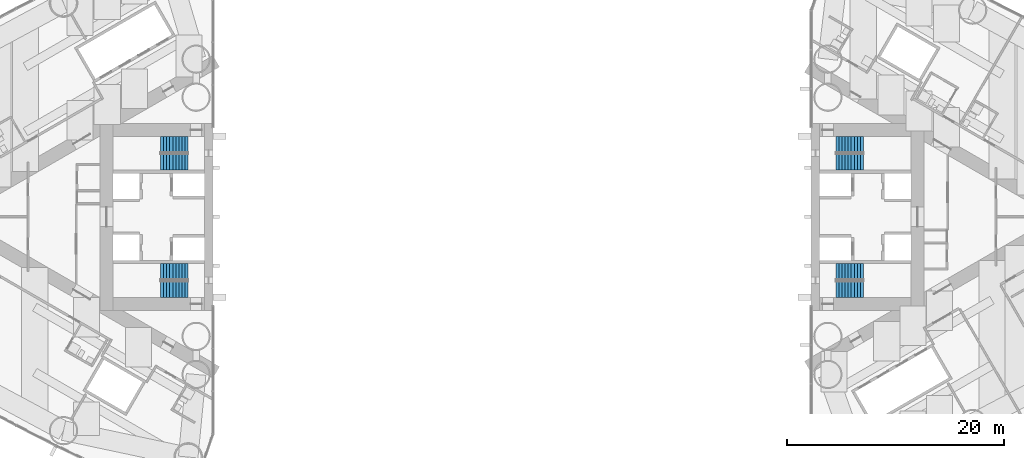
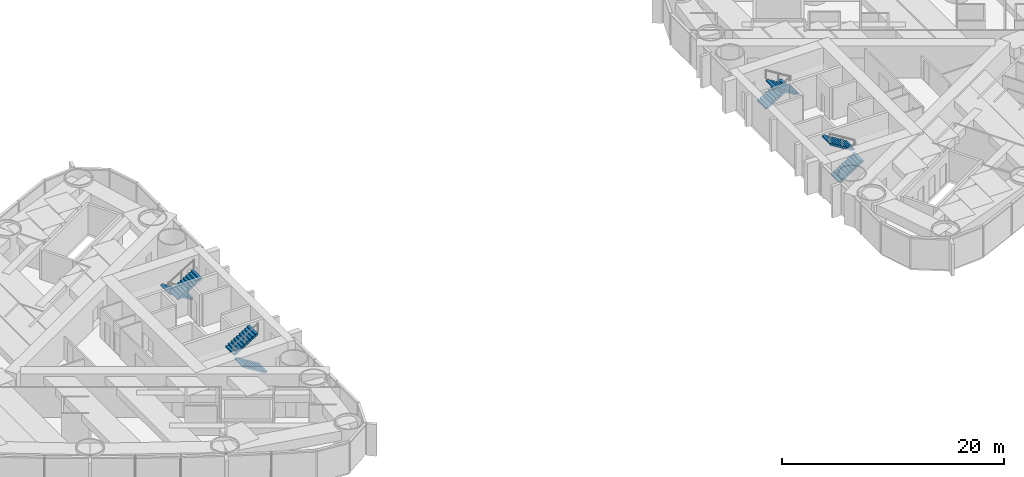
# One storey, part 17 of 19: 8 stair flights, 4 elements without a shape of their own.
"""IFC4 building model written with IfcOpenShell, lengths in metres."""

from ifc_helpers import new_model, si_unit, direction, frame, origin, place, context, subcontext, project, spatial, polyline, outline, extrude, material, type_object, element, aggregate, save


model = new_model("IFC4")

# Units and contexts
model_context = context("Model", 3, precision=1e-05, world=origin(), true_north=direction((0.0, 1.0)))
body_context = subcontext(model_context, "Body", "Model", "MODEL_VIEW")
ifc_project = project(units=[si_unit("LENGTHUNIT", "METRE"), si_unit("AREAUNIT", "SQUARE_METRE"), si_unit("VOLUMEUNIT", "CUBIC_METRE"), si_unit("PLANEANGLEUNIT", "RADIAN"), si_unit("MASSUNIT", "GRAM", prefix="KILO")], contexts=[model_context])

# Site, building, storey
site_placement = place(None, origin())
site = spatial("IfcSite", under=ifc_project, at=site_placement, CompositionType="ELEMENT")
building_placement = place(site_placement, origin())
building = spatial("IfcBuilding", under=site, at=building_placement, Name="Lancet Gate Hotel", CompositionType="ELEMENT")
storey_placement = place(building_placement, frame((0.0, 0.0, 122.10009765625)))
storey = spatial("IfcBuildingStorey", under=building, at=storey_placement, Name="L32", CompositionType="ELEMENT", Elevation=122.10009765625)

# Stair, stair flights
ifc_material_1 = material(Name="Exit stair 20 risers 1500")
stair_type = type_object("IfcStairType", Name="Exit stair 20 risers 1500", PredefinedType="HALF_TURN_STAIR", material=ifc_material_1)
stair_1_placement = place(storey_placement, origin())
stair_1 = element("IfcStair", 1, at=stair_1_placement, inside=storey, type_object=stair_type, Name="T1 stair 1 L32", PredefinedType="HALF_TURN_STAIR")
ifc_material_2 = material(Name="Stair flight 10 risers 175 rise 1500")
stair_flight_type = type_object("IfcStairFlightType", Name="Stair flight 10 risers 175 rise 1500", PredefinedType="STRAIGHT", material=ifc_material_2)
stair_flight_1_placement = place(storey_placement, frame((-29.800048828125, 6.64990234375, 0.0), z_axis=(0.0, 0.0, 1.0), x_axis=(-1.0, 0.0, 0.0)))
stair_flight_1 = element("IfcStairFlight", 2, at=stair_flight_1_placement, type_object=stair_flight_type, Name="ST1 flight 1", NumberOfRisers=10, NumberOfTreads=9, PredefinedType="STRAIGHT", RiserHeight=0.175, TreadLength=0.28, context=body_context, shape_type="SweptSolid", body=[
    extrude(outline(polyline([(0.0, 0.0), (0.0, 0.175048828125), (0.280029296875, 0.175048828125), (0.280029296875, 0.35009765625), (0.56005859375, 0.35009765625), (0.56005859375, 0.52490234375), (0.840087890625, 0.52490234375), (0.840087890625, 0.699951171875), (1.1201171875, 0.699951171875), (1.1201171875, 0.875), (1.39990234375, 0.875), (1.39990234375, 1.050048828125), (1.679931640625, 1.050048828125), (1.679931640625, 1.22509765625), (1.9599609375, 1.22509765625), (1.9599609375, 1.39990234375), (2.239990234375, 1.39990234375), (2.239990234375, 1.574951171875), (2.52001953125, 1.574951171875), (2.52001953125, 1.75), (2.52001953125, 1.398193359375), (0.28271484375, 0.0), (0.0, 0.0)])), frame((0.0, 0.75, 0.0), z_axis=(0.0, -1.0, 0.0), x_axis=(1.0, 0.0, 0.0)), (0.0, 0.0, 1.0), 1.5),
])
stair_flight_2_placement = place(storey_placement, frame((-32.320068359375, 5.050048828125, 1.75), z_axis=(0.0, 0.0, 1.0), x_axis=(1.0, 0.0, 0.0)))
stair_flight_2 = element("IfcStairFlight", 3, at=stair_flight_2_placement, type_object=stair_flight_type, Name="ST1 flight 2", NumberOfRisers=10, NumberOfTreads=9, PredefinedType="STRAIGHT", RiserHeight=0.175, TreadLength=0.28, context=body_context, shape_type="SweptSolid", body=[
    extrude(outline(polyline([(0.0, 0.0), (0.0, 0.175048828125), (0.280029296875, 0.175048828125), (0.280029296875, 0.35009765625), (0.56005859375, 0.35009765625), (0.56005859375, 0.52490234375), (0.840087890625, 0.52490234375), (0.840087890625, 0.699951171875), (1.1201171875, 0.699951171875), (1.1201171875, 0.875), (1.39990234375, 0.875), (1.39990234375, 1.050048828125), (1.679931640625, 1.050048828125), (1.679931640625, 1.22509765625), (1.9599609375, 1.22509765625), (1.9599609375, 1.39990234375), (2.239990234375, 1.39990234375), (2.239990234375, 1.574951171875), (2.52001953125, 1.574951171875), (2.52001953125, 1.75), (2.52001953125, 1.398193359375), (0.28271484375, 0.0), (0.0, 0.0)])), frame((0.0, 0.75, 0.0), z_axis=(0.0, -1.0, 0.0), x_axis=(1.0, 0.0, 0.0)), (0.0, 0.0, 1.0), 1.5),
])
aggregate(stair_1, [stair_flight_1, stair_flight_2])

stair_2_placement = place(storey_placement, origin())
stair_2 = element("IfcStair", 4, at=stair_2_placement, inside=storey, type_object=stair_type, Name="T1 stair 2 L32", PredefinedType="HALF_TURN_STAIR")
stair_flight_3_placement = place(storey_placement, frame((-29.800048828125, -6.64990234375, 0.0), z_axis=(0.0, 0.0, 1.0), x_axis=(-1.0, 0.0, 0.0)))
stair_flight_3 = element("IfcStairFlight", 5, at=stair_flight_3_placement, type_object=stair_flight_type, Name="ST2 flight 1", NumberOfRisers=10, NumberOfTreads=9, PredefinedType="STRAIGHT", RiserHeight=0.175, TreadLength=0.28, context=body_context, shape_type="SweptSolid", body=[
    extrude(outline(polyline([(0.0, 0.0), (0.0, 0.175048828125), (0.280029296875, 0.175048828125), (0.280029296875, 0.35009765625), (0.56005859375, 0.35009765625), (0.56005859375, 0.52490234375), (0.840087890625, 0.52490234375), (0.840087890625, 0.699951171875), (1.1201171875, 0.699951171875), (1.1201171875, 0.875), (1.39990234375, 0.875), (1.39990234375, 1.050048828125), (1.679931640625, 1.050048828125), (1.679931640625, 1.22509765625), (1.9599609375, 1.22509765625), (1.9599609375, 1.39990234375), (2.239990234375, 1.39990234375), (2.239990234375, 1.574951171875), (2.52001953125, 1.574951171875), (2.52001953125, 1.75), (2.52001953125, 1.398193359375), (0.28271484375, 0.0), (0.0, 0.0)])), frame((0.0, 0.75, 0.0), z_axis=(0.0, -1.0, 0.0), x_axis=(1.0, 0.0, 0.0)), (0.0, 0.0, 1.0), 1.5),
])
stair_flight_4_placement = place(storey_placement, frame((-32.320068359375, -5.050048828125, 1.75), z_axis=(0.0, 0.0, 1.0), x_axis=(1.0, 0.0, 0.0)))
stair_flight_4 = element("IfcStairFlight", 6, at=stair_flight_4_placement, type_object=stair_flight_type, Name="ST2 flight 2", NumberOfRisers=10, NumberOfTreads=9, PredefinedType="STRAIGHT", RiserHeight=0.175, TreadLength=0.28, context=body_context, shape_type="SweptSolid", body=[
    extrude(outline(polyline([(0.0, 0.0), (0.0, 0.175048828125), (0.280029296875, 0.175048828125), (0.280029296875, 0.35009765625), (0.56005859375, 0.35009765625), (0.56005859375, 0.52490234375), (0.840087890625, 0.52490234375), (0.840087890625, 0.699951171875), (1.1201171875, 0.699951171875), (1.1201171875, 0.875), (1.39990234375, 0.875), (1.39990234375, 1.050048828125), (1.679931640625, 1.050048828125), (1.679931640625, 1.22509765625), (1.9599609375, 1.22509765625), (1.9599609375, 1.39990234375), (2.239990234375, 1.39990234375), (2.239990234375, 1.574951171875), (2.52001953125, 1.574951171875), (2.52001953125, 1.75), (2.52001953125, 1.398193359375), (0.28271484375, 0.0), (0.0, 0.0)])), frame((0.0, 0.75, 0.0), z_axis=(0.0, -1.0, 0.0), x_axis=(1.0, 0.0, 0.0)), (0.0, 0.0, 1.0), 1.5),
])
aggregate(stair_2, [stair_flight_3, stair_flight_4])

stair_3_placement = place(storey_placement, origin())
stair_3 = element("IfcStair", 7, at=stair_3_placement, inside=storey, type_object=stair_type, Name="T2 stair 1 L32", PredefinedType="HALF_TURN_STAIR")
stair_flight_5_placement = place(storey_placement, frame((29.800048828125, -6.64990234375, 0.0), z_axis=(0.0, 0.0, 1.0), x_axis=(1.0, 0.0, 0.0)))
stair_flight_5 = element("IfcStairFlight", 8, at=stair_flight_5_placement, type_object=stair_flight_type, Name="ST3 flight 1", NumberOfRisers=10, NumberOfTreads=9, PredefinedType="STRAIGHT", RiserHeight=0.175, TreadLength=0.28, context=body_context, shape_type="SweptSolid", body=[
    extrude(outline(polyline([(0.0, 0.0), (0.0, 0.175048828125), (0.280029296875, 0.175048828125), (0.280029296875, 0.35009765625), (0.56005859375, 0.35009765625), (0.56005859375, 0.52490234375), (0.840087890625, 0.52490234375), (0.840087890625, 0.699951171875), (1.1201171875, 0.699951171875), (1.1201171875, 0.875), (1.39990234375, 0.875), (1.39990234375, 1.050048828125), (1.679931640625, 1.050048828125), (1.679931640625, 1.22509765625), (1.9599609375, 1.22509765625), (1.9599609375, 1.39990234375), (2.239990234375, 1.39990234375), (2.239990234375, 1.574951171875), (2.52001953125, 1.574951171875), (2.52001953125, 1.75), (2.52001953125, 1.398193359375), (0.28271484375, 0.0), (0.0, 0.0)])), frame((0.0, 0.75, 0.0), z_axis=(0.0, -1.0, 0.0), x_axis=(1.0, 0.0, 0.0)), (0.0, 0.0, 1.0), 1.5),
])
stair_flight_6_placement = place(storey_placement, frame((32.320068359375, -5.050048828125, 1.75), z_axis=(0.0, 0.0, 1.0), x_axis=(-1.0, 0.0, 0.0)))
stair_flight_6 = element("IfcStairFlight", 9, at=stair_flight_6_placement, type_object=stair_flight_type, Name="ST3 flight 2", NumberOfRisers=10, NumberOfTreads=9, PredefinedType="STRAIGHT", RiserHeight=0.175, TreadLength=0.28, context=body_context, shape_type="SweptSolid", body=[
    extrude(outline(polyline([(0.0, 0.0), (0.0, 0.175048828125), (0.280029296875, 0.175048828125), (0.280029296875, 0.35009765625), (0.56005859375, 0.35009765625), (0.56005859375, 0.52490234375), (0.840087890625, 0.52490234375), (0.840087890625, 0.699951171875), (1.1201171875, 0.699951171875), (1.1201171875, 0.875), (1.39990234375, 0.875), (1.39990234375, 1.050048828125), (1.679931640625, 1.050048828125), (1.679931640625, 1.22509765625), (1.9599609375, 1.22509765625), (1.9599609375, 1.39990234375), (2.239990234375, 1.39990234375), (2.239990234375, 1.574951171875), (2.52001953125, 1.574951171875), (2.52001953125, 1.75), (2.52001953125, 1.398193359375), (0.28271484375, 0.0), (0.0, 0.0)])), frame((0.0, 0.75, 0.0), z_axis=(0.0, -1.0, 0.0), x_axis=(1.0, 0.0, 0.0)), (0.0, 0.0, 1.0), 1.5),
])
aggregate(stair_3, [stair_flight_5, stair_flight_6])

stair_4_placement = place(storey_placement, origin())
stair_4 = element("IfcStair", 10, at=stair_4_placement, inside=storey, type_object=stair_type, Name="T2 stair 2 L32", PredefinedType="HALF_TURN_STAIR")
stair_flight_7_placement = place(storey_placement, frame((29.800048828125, 6.64990234375, 0.0), z_axis=(0.0, 0.0, 1.0), x_axis=(1.0, 0.0, 0.0)))
stair_flight_7 = element("IfcStairFlight", 11, at=stair_flight_7_placement, type_object=stair_flight_type, Name="ST4 flight 1", NumberOfRisers=10, NumberOfTreads=9, PredefinedType="STRAIGHT", RiserHeight=0.175, TreadLength=0.28, context=body_context, shape_type="SweptSolid", body=[
    extrude(outline(polyline([(0.0, 0.0), (0.0, 0.175048828125), (0.280029296875, 0.175048828125), (0.280029296875, 0.35009765625), (0.56005859375, 0.35009765625), (0.56005859375, 0.52490234375), (0.840087890625, 0.52490234375), (0.840087890625, 0.699951171875), (1.1201171875, 0.699951171875), (1.1201171875, 0.875), (1.39990234375, 0.875), (1.39990234375, 1.050048828125), (1.679931640625, 1.050048828125), (1.679931640625, 1.22509765625), (1.9599609375, 1.22509765625), (1.9599609375, 1.39990234375), (2.239990234375, 1.39990234375), (2.239990234375, 1.574951171875), (2.52001953125, 1.574951171875), (2.52001953125, 1.75), (2.52001953125, 1.398193359375), (0.28271484375, 0.0), (0.0, 0.0)])), frame((0.0, 0.75, 0.0), z_axis=(0.0, -1.0, 0.0), x_axis=(1.0, 0.0, 0.0)), (0.0, 0.0, 1.0), 1.5),
])
stair_flight_8_placement = place(storey_placement, frame((32.320068359375, 5.050048828125, 1.75), z_axis=(0.0, 0.0, 1.0), x_axis=(-1.0, 0.0, 0.0)))
stair_flight_8 = element("IfcStairFlight", 12, at=stair_flight_8_placement, type_object=stair_flight_type, Name="ST4 flight 2", NumberOfRisers=10, NumberOfTreads=9, PredefinedType="STRAIGHT", RiserHeight=0.175, TreadLength=0.28, context=body_context, shape_type="SweptSolid", body=[
    extrude(outline(polyline([(0.0, 0.0), (0.0, 0.175048828125), (0.280029296875, 0.175048828125), (0.280029296875, 0.35009765625), (0.56005859375, 0.35009765625), (0.56005859375, 0.52490234375), (0.840087890625, 0.52490234375), (0.840087890625, 0.699951171875), (1.1201171875, 0.699951171875), (1.1201171875, 0.875), (1.39990234375, 0.875), (1.39990234375, 1.050048828125), (1.679931640625, 1.050048828125), (1.679931640625, 1.22509765625), (1.9599609375, 1.22509765625), (1.9599609375, 1.39990234375), (2.239990234375, 1.39990234375), (2.239990234375, 1.574951171875), (2.52001953125, 1.574951171875), (2.52001953125, 1.75), (2.52001953125, 1.398193359375), (0.28271484375, 0.0), (0.0, 0.0)])), frame((0.0, 0.75, 0.0), z_axis=(0.0, -1.0, 0.0), x_axis=(1.0, 0.0, 0.0)), (0.0, 0.0, 1.0), 1.5),
])
aggregate(stair_4, [stair_flight_7, stair_flight_8])

save(model, "model.ifc")
